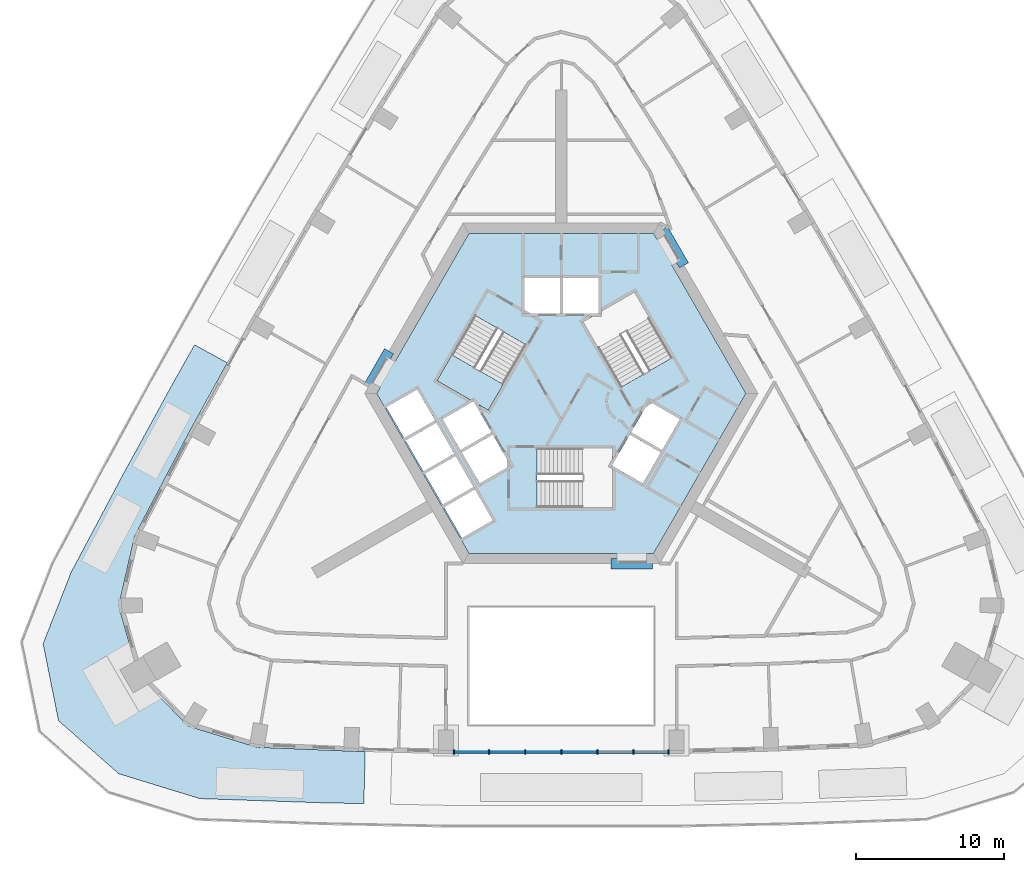
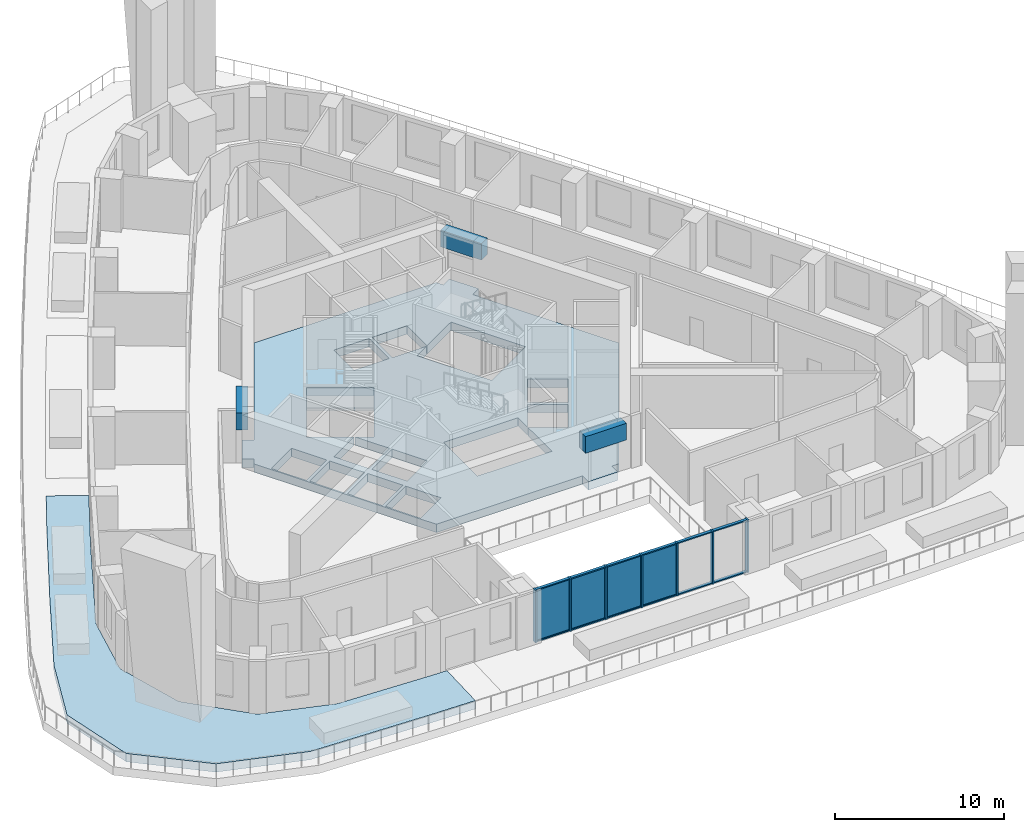
# One storey, part 2 of 13: 19 members, 4 plates, 3 beams, 3 slabs, 2 elements without a shape of their own.
"""IFC4 building model written with IfcOpenShell, lengths in metres."""

from ifc_helpers import new_model, si_unit, direction, frame, origin, origin_2d, place, context, subcontext, project, spatial, polyline, rectangle, outline, extrude, material, layer, layer_set, material_profile, profile_set, type_object, element, aggregate, save


model = new_model("IFC4")

# Units and contexts
model_context = context("Model", 3, precision=1e-05, world=origin(), true_north=direction((0.0, 1.0)))
body_context = subcontext(model_context, "Body", "Model", "MODEL_VIEW")
ifc_project = project(units=[si_unit("LENGTHUNIT", "METRE"), si_unit("AREAUNIT", "SQUARE_METRE"), si_unit("VOLUMEUNIT", "CUBIC_METRE"), si_unit("PLANEANGLEUNIT", "RADIAN"), si_unit("MASSUNIT", "GRAM", prefix="KILO")], contexts=[model_context])

# Site, building, storey
site_placement = place(None, origin())
site = spatial("IfcSite", under=ifc_project, at=site_placement, CompositionType="ELEMENT")
building_placement = place(site_placement, origin())
building = spatial("IfcBuilding", under=site, at=building_placement, Name="Entoto Arch Interchange Tower", CompositionType="ELEMENT")
storey_placement = place(building_placement, frame((0.0, 0.0, 189.800048828125)))
storey = spatial("IfcBuildingStorey", under=building, at=storey_placement, Name="L42", CompositionType="ELEMENT", Elevation=189.800048828125)

# Beams
ifc_material_1 = material(Name="Concrete C50/60", Category="concrete")
ifc_material_profile_1 = material_profile(ifc_material_1, rectangle(XDim=0.699951171875, YDim=1.199951171875, at=origin_2d()))
ifc_profile_set_1 = profile_set([ifc_material_profile_1], Name="Concrete C50/60")
beam_type = type_object("IfcBeamType", Name="Coupling beam RC 700x1200 C50/60", PredefinedType="BEAM", material=ifc_profile_set_1)
for number, where, z_axis, x_axis, name in (
    (1, (8.283935546875, 11.152099609375, 3.0), (-0.500135180047, 0.865947343479, 0.0), (-0.865947343479, -0.500135180047, 0.0), "Coupling beam NE L42"),
    (2, (-11.634033203125, 5.347900390625, 3.0), (-0.500135180047, -0.865947343479, 0.0), (0.865947343479, -0.500135180047, 0.0), "Coupling beam NW L42"),
):
    element("IfcBeam", number, at=place(storey_placement, frame(where, z_axis=z_axis, x_axis=x_axis)), inside=storey, type_object=beam_type, Name=name, PredefinedType="BEAM", context=body_context, shape_type="SweptSolid", body=[
        extrude(rectangle(XDim=0.699951171875, YDim=1.199951171875, at=origin_2d()), origin(), (0.0, 0.0, 1.0), 2.799072265625),
    ])
beam_placement = place(storey_placement, frame((3.35009765625, -9.0, 3.0), z_axis=(1.0, 0.0, 0.0), x_axis=(0.0, 1.0, 0.0)))
element("IfcBeam", 3, at=beam_placement, inside=storey, type_object=beam_type, Name="Coupling beam S L42", PredefinedType="BEAM", context=body_context, shape_type="SweptSolid", body=[
    extrude(rectangle(XDim=0.699951171875, YDim=1.199951171875, at=origin_2d()), origin(), (0.0, 0.0, 1.0), 2.7998046875),
])

# Curtain wall, members
ifc_material_2 = material(Name="Aluminium, anodised", Category="aluminium")
curtain_wall_type = type_object("IfcCurtainWallType", Name="CURTAIN WALL ATRIUM", PredefinedType="NOTDEFINED", material=ifc_material_2)
curtain_wall_placement = place(storey_placement, origin())
curtain_wall = element("IfcCurtainWall", 4, at=curtain_wall_placement, inside=storey, type_object=curtain_wall_type, Name="Atrium glazing S-03 L42", PredefinedType="NOTDEFINED")
ifc_material_profile_2 = material_profile(ifc_material_2, rectangle(XDim=0.300048828125, YDim=0.10009765625, at=origin_2d()))
ifc_profile_set_2 = profile_set([ifc_material_profile_2], Name="Aluminium, anodised")
member_type_1 = type_object("IfcMemberType", Name="MULLION ATRIUM 100x300", PredefinedType="MULLION", material=ifc_profile_set_2)
member_1_placement = place(storey_placement, frame((-7.2490234375, -21.701904296875, 0.0), z_axis=(0.0, 0.0, 1.0), x_axis=(0.0, 1.0, 0.0)))
member_1 = element("IfcMember", 5, at=member_1_placement, type_object=member_type_1, Name="CWA mullion 1", PredefinedType="MULLION", context=body_context, shape_type="SweptSolid", body=[
    extrude(rectangle(XDim=0.300048828125, YDim=0.10009765625, at=origin_2d()), origin(), (0.0, 0.0, 1.0), 3.800048828125),
])
member_2_placement = place(storey_placement, frame((-4.865966796875, -21.701904296875, 0.0), z_axis=(0.0, 0.0, 1.0), x_axis=(0.0, 1.0, 0.0)))
member_2 = element("IfcMember", 6, at=member_2_placement, type_object=member_type_1, Name="CWA mullion 2", PredefinedType="MULLION", context=body_context, shape_type="SweptSolid", body=[
    extrude(rectangle(XDim=0.300048828125, YDim=0.10009765625, at=origin_2d()), origin(), (0.0, 0.0, 1.0), 3.800048828125),
])
member_3_placement = place(storey_placement, frame((-2.43310546875, -21.701904296875, 0.0), z_axis=(0.0, 0.0, 1.0), x_axis=(0.0, 1.0, 0.0)))
member_3 = element("IfcMember", 7, at=member_3_placement, type_object=member_type_1, Name="CWA mullion 3", PredefinedType="MULLION", context=body_context, shape_type="SweptSolid", body=[
    extrude(rectangle(XDim=0.300048828125, YDim=0.10009765625, at=origin_2d()), origin(), (0.0, 0.0, 1.0), 3.800048828125),
])
member_4_placement = place(storey_placement, frame((0.0, -21.701904296875, 0.0), z_axis=(0.0, 0.0, 1.0), x_axis=(0.0, 1.0, 0.0)))
member_4 = element("IfcMember", 8, at=member_4_placement, type_object=member_type_1, Name="CWA mullion 4", PredefinedType="MULLION", context=body_context, shape_type="SweptSolid", body=[
    extrude(rectangle(XDim=0.300048828125, YDim=0.10009765625, at=origin_2d()), origin(), (0.0, 0.0, 1.0), 3.800048828125),
])
member_5_placement = place(storey_placement, frame((2.43310546875, -21.701904296875, 0.0), z_axis=(0.0, 0.0, 1.0), x_axis=(0.0, 1.0, 0.0)))
member_5 = element("IfcMember", 9, at=member_5_placement, type_object=member_type_1, Name="CWA mullion 5", PredefinedType="MULLION", context=body_context, shape_type="SweptSolid", body=[
    extrude(rectangle(XDim=0.300048828125, YDim=0.10009765625, at=origin_2d()), origin(), (0.0, 0.0, 1.0), 3.800048828125),
])
member_6_placement = place(storey_placement, frame((4.865966796875, -21.701904296875, 0.0), z_axis=(0.0, 0.0, 1.0), x_axis=(0.0, 1.0, 0.0)))
member_6 = element("IfcMember", 10, at=member_6_placement, type_object=member_type_1, Name="CWA mullion 6", PredefinedType="MULLION", context=body_context, shape_type="SweptSolid", body=[
    extrude(rectangle(XDim=0.300048828125, YDim=0.10009765625, at=origin_2d()), origin(), (0.0, 0.0, 1.0), 3.800048828125),
])
member_7_placement = place(storey_placement, frame((7.2490234375, -21.701904296875, 0.0), z_axis=(0.0, 0.0, 1.0), x_axis=(0.0, 1.0, 0.0)))
member_7 = element("IfcMember", 11, at=member_7_placement, type_object=member_type_1, Name="CWA mullion 7", PredefinedType="MULLION", context=body_context, shape_type="SweptSolid", body=[
    extrude(rectangle(XDim=0.300048828125, YDim=0.10009765625, at=origin_2d()), origin(), (0.0, 0.0, 1.0), 3.800048828125),
])
ifc_material_profile_3 = material_profile(ifc_material_2, rectangle(XDim=0.199951171875, YDim=0.080078125, at=origin_2d()))
ifc_profile_set_3 = profile_set([ifc_material_profile_3], Name="Aluminium, anodised")
member_type_2 = type_object("IfcMemberType", Name="TRANSOM ATRIUM 80x200", PredefinedType="USERDEFINED", material=ifc_profile_set_3)
member_8_placement = place(storey_placement, frame((-7.198974609375, -21.701904296875, 0.0400390625), z_axis=(1.0, 0.0, 0.0), x_axis=(0.0, 1.0, 0.0)))
member_8 = element("IfcMember", 12, at=member_8_placement, type_object=member_type_2, Name="CWA transom 1.1", ObjectType="TRANSOM", PredefinedType="USERDEFINED", context=body_context, shape_type="SweptSolid", body=[
    extrude(rectangle(XDim=0.199951171875, YDim=0.080078125, at=origin_2d()), origin(), (0.0, 0.0, 1.0), 2.282958984375),
])
member_9_placement = place(storey_placement, frame((-7.198974609375, -21.701904296875, 3.760009765625), z_axis=(1.0, 0.0, 0.0), x_axis=(0.0, 1.0, 0.0)))
member_9 = element("IfcMember", 13, at=member_9_placement, type_object=member_type_2, Name="CWA transom 1.2", ObjectType="TRANSOM", PredefinedType="USERDEFINED", context=body_context, shape_type="SweptSolid", body=[
    extrude(rectangle(XDim=0.199951171875, YDim=0.080078125, at=origin_2d()), origin(), (0.0, 0.0, 1.0), 2.282958984375),
])
member_10_placement = place(storey_placement, frame((-4.81591796875, -21.701904296875, 0.0400390625), z_axis=(1.0, 0.0, 0.0), x_axis=(0.0, 1.0, 0.0)))
member_10 = element("IfcMember", 14, at=member_10_placement, type_object=member_type_2, Name="CWA transom 2.1", ObjectType="TRANSOM", PredefinedType="USERDEFINED", context=body_context, shape_type="SweptSolid", body=[
    extrude(rectangle(XDim=0.199951171875, YDim=0.080078125, at=origin_2d()), origin(), (0.0, 0.0, 1.0), 2.3330078125),
])
member_11_placement = place(storey_placement, frame((-4.81591796875, -21.701904296875, 3.760009765625), z_axis=(1.0, 0.0, 0.0), x_axis=(0.0, 1.0, 0.0)))
member_11 = element("IfcMember", 15, at=member_11_placement, type_object=member_type_2, Name="CWA transom 2.2", ObjectType="TRANSOM", PredefinedType="USERDEFINED", context=body_context, shape_type="SweptSolid", body=[
    extrude(rectangle(XDim=0.199951171875, YDim=0.080078125, at=origin_2d()), origin(), (0.0, 0.0, 1.0), 2.3330078125),
])
member_12_placement = place(storey_placement, frame((-2.383056640625, -21.701904296875, 0.0400390625), z_axis=(1.0, 0.0, 0.0), x_axis=(0.0, 1.0, 0.0)))
member_12 = element("IfcMember", 16, at=member_12_placement, type_object=member_type_2, Name="CWA transom 3.1", ObjectType="TRANSOM", PredefinedType="USERDEFINED", context=body_context, shape_type="SweptSolid", body=[
    extrude(rectangle(XDim=0.199951171875, YDim=0.080078125, at=origin_2d()), origin(), (0.0, 0.0, 1.0), 2.3330078125),
])
member_13_placement = place(storey_placement, frame((-2.383056640625, -21.701904296875, 3.760009765625), z_axis=(1.0, 0.0, 0.0), x_axis=(0.0, 1.0, 0.0)))
member_13 = element("IfcMember", 17, at=member_13_placement, type_object=member_type_2, Name="CWA transom 3.2", ObjectType="TRANSOM", PredefinedType="USERDEFINED", context=body_context, shape_type="SweptSolid", body=[
    extrude(rectangle(XDim=0.199951171875, YDim=0.080078125, at=origin_2d()), origin(), (0.0, 0.0, 1.0), 2.3330078125),
])
member_14_placement = place(storey_placement, frame((0.050048828125, -21.701904296875, 0.0400390625), z_axis=(1.0, 0.0, 0.0), x_axis=(0.0, 1.0, 0.0)))
member_14 = element("IfcMember", 18, at=member_14_placement, type_object=member_type_2, Name="CWA transom 4.1", ObjectType="TRANSOM", PredefinedType="USERDEFINED", context=body_context, shape_type="SweptSolid", body=[
    extrude(rectangle(XDim=0.199951171875, YDim=0.080078125, at=origin_2d()), origin(), (0.0, 0.0, 1.0), 2.3330078125),
])
member_15_placement = place(storey_placement, frame((0.050048828125, -21.701904296875, 3.760009765625), z_axis=(1.0, 0.0, 0.0), x_axis=(0.0, 1.0, 0.0)))
member_15 = element("IfcMember", 19, at=member_15_placement, type_object=member_type_2, Name="CWA transom 4.2", ObjectType="TRANSOM", PredefinedType="USERDEFINED", context=body_context, shape_type="SweptSolid", body=[
    extrude(rectangle(XDim=0.199951171875, YDim=0.080078125, at=origin_2d()), origin(), (0.0, 0.0, 1.0), 2.3330078125),
])
member_16_placement = place(storey_placement, frame((2.48291015625, -21.701904296875, 0.0400390625), z_axis=(1.0, 0.0, 0.0), x_axis=(0.0, 1.0, 0.0)))
member_16 = element("IfcMember", 20, at=member_16_placement, type_object=member_type_2, Name="CWA transom 5.1", ObjectType="TRANSOM", PredefinedType="USERDEFINED", context=body_context, shape_type="SweptSolid", body=[
    extrude(rectangle(XDim=0.199951171875, YDim=0.080078125, at=origin_2d()), origin(), (0.0, 0.0, 1.0), 2.3330078125),
])
member_17_placement = place(storey_placement, frame((2.48291015625, -21.701904296875, 3.760009765625), z_axis=(1.0, 0.0, 0.0), x_axis=(0.0, 1.0, 0.0)))
member_17 = element("IfcMember", 21, at=member_17_placement, type_object=member_type_2, Name="CWA transom 5.2", ObjectType="TRANSOM", PredefinedType="USERDEFINED", context=body_context, shape_type="SweptSolid", body=[
    extrude(rectangle(XDim=0.199951171875, YDim=0.080078125, at=origin_2d()), origin(), (0.0, 0.0, 1.0), 2.3330078125),
])
member_18_placement = place(storey_placement, frame((4.916015625, -21.701904296875, 0.0400390625), z_axis=(1.0, 0.0, 0.0), x_axis=(0.0, 1.0, 0.0)))
member_18 = element("IfcMember", 22, at=member_18_placement, type_object=member_type_2, Name="CWA transom 6.1", ObjectType="TRANSOM", PredefinedType="USERDEFINED", context=body_context, shape_type="SweptSolid", body=[
    extrude(rectangle(XDim=0.199951171875, YDim=0.080078125, at=origin_2d()), origin(), (0.0, 0.0, 1.0), 2.282958984375),
])
member_19_placement = place(storey_placement, frame((4.916015625, -21.701904296875, 3.760009765625), z_axis=(1.0, 0.0, 0.0), x_axis=(0.0, 1.0, 0.0)))
member_19 = element("IfcMember", 23, at=member_19_placement, type_object=member_type_2, Name="CWA transom 6.2", ObjectType="TRANSOM", PredefinedType="USERDEFINED", context=body_context, shape_type="SweptSolid", body=[
    extrude(rectangle(XDim=0.199951171875, YDim=0.080078125, at=origin_2d()), origin(), (0.0, 0.0, 1.0), 2.282958984375),
])

# Slab
ifc_material_3 = material(Name="Concrete C40/50", Category="concrete")
ifc_layer_1 = layer(ifc_material_3, 0.60009765625)
ifc_layer_set_1 = layer_set([ifc_layer_1], Name="Concrete C40/50")
slab_type_1 = type_object("IfcSlabType", Name="Core floor slab 600 C40/50", PredefinedType="FLOOR", material=ifc_layer_set_1)
slab_1_placement = place(storey_placement, frame((0.0, 0.0, -0.60009765625)))
element("IfcSlab", 24, at=slab_1_placement, inside=storey, type_object=slab_type_1, Name="Core floor slab L42", PredefinedType="FLOOR", context=body_context, shape_type="SweptSolid", body=[
    extrude(outline(polyline([(5.75, -9.0), (3.75, -9.0), (3.75, -8.300048828125), (-6.235107421875, -8.300048828125), (-12.470947265625, 2.5), (-12.22802734375, 2.919921875), (-12.833984375, 3.27001953125), (-11.833984375, 5.001953125), (-11.22802734375, 4.652099609375), (-6.235107421875, 13.300048828125), (6.235107421875, 13.300048828125), (6.47802734375, 12.8798828125), (7.083984375, 13.22998046875), (8.083984375, 11.498046875), (7.47802734375, 11.14794921875), (12.470947265625, 2.5), (6.235107421875, -8.300048828125), (5.75, -8.300048828125), (5.75, -9.0)]), holes=[polyline([(-5.837890625, -3.988037109375), (-7.916015625, -5.18798828125), (-6.716064453125, -7.26708984375), (-4.637939453125, -6.06689453125), (-5.837890625, -3.988037109375)]), polyline([(-5.93798828125, -3.81494140625), (-7.137939453125, -1.737060546875), (-9.216064453125, -2.93701171875), (-8.01611328125, -5.014892578125), (-5.93798828125, -3.81494140625)]), polyline([(-3.427001953125, -2.364990234375), (-4.626953125, -0.287109375), (-6.705078125, -1.487060546875), (-5.5048828125, -3.56494140625), (-3.427001953125, -2.364990234375)]), polyline([(-8.43798828125, 0.514892578125), (-10.51611328125, -0.68505859375), (-9.31591796875, -2.762939453125), (-7.238037109375, -1.56298828125), (-8.43798828125, 0.514892578125)]), polyline([(-4.72705078125, -0.113037109375), (-5.904052734375, 1.925048828125), (-4.928955078125, 1.362060546875), (-2.37890625, 5.779052734375), (-5.843017578125, 7.779052734375), (-8.39306640625, 3.362060546875), (-5.949951171875, 1.951904296875), (-8.0048828125, 0.764892578125), (-6.804931640625, -1.31298828125), (-4.72705078125, -0.113037109375)]), polyline([(-8.5380859375, 0.68798828125), (-9.738037109375, 2.76708984375), (-11.81591796875, 1.56689453125), (-10.615966796875, -0.511962890625), (-8.5380859375, 0.68798828125)]), polyline([(3.449951171875, -5.199951171875), (3.449951171875, -2.3779296875), (5.5048828125, -3.56494140625), (6.705078125, -1.487060546875), (4.626953125, -0.287109375), (3.449951171875, -2.324951171875), (3.449951171875, -1.199951171875), (-1.64990234375, -1.199951171875), (-1.64990234375, -5.199951171875), (3.449951171875, -5.199951171875)]), polyline([(5.927001953125, 1.965087890625), (4.72705078125, -0.113037109375), (6.804931640625, -1.31298828125), (8.0048828125, 0.764892578125), (5.927001953125, 1.965087890625)]), polyline([(4.029052734375, 2.9208984375), (7.492919921875, 4.9208984375), (4.943115234375, 9.337890625), (2.5, 7.927001953125), (2.5, 10.300048828125), (0.10009765625, 10.300048828125), (0.10009765625, 7.89990234375), (2.452880859375, 7.89990234375), (1.47900390625, 7.337890625), (4.029052734375, 2.9208984375)]), polyline([(-2.5, 7.89990234375), (-0.10009765625, 7.89990234375), (-0.10009765625, 10.300048828125), (-2.5, 10.300048828125), (-2.5, 7.89990234375)])]), origin(), (0.0, 0.0, 1.0), 0.60009765625),
])

# Stair, slab
stair_type = type_object("IfcStairType", Name="EXIT STAIR RC 1800", PredefinedType="HALF_TURN_STAIR", material=ifc_material_3)
stair_placement = place(storey_placement, origin())
stair = element("IfcStair", 25, at=stair_placement, inside=storey, type_object=stair_type, Name="L42 Exit stair NW", PredefinedType="HALF_TURN_STAIR")
ifc_layer_2 = layer(ifc_material_3, 0.199951171875)
ifc_layer_set_2 = layer_set([ifc_layer_2], Name="Concrete C40/50")
slab_type_2 = type_object("IfcSlabType", Name="EXIT STAIR LANDING RC 200", PredefinedType="LANDING", material=ifc_layer_set_2)
slab_2_placement = place(storey_placement, frame((0.0, 0.0, 1.89990234375)))
slab_2 = element("IfcSlab", 26, at=slab_2_placement, type_object=slab_type_2, Name="ST-NW landing 1", PredefinedType="LANDING", context=body_context, shape_type="SweptSolid", body=[
    extrude(outline(polyline([(-7.38330078125, 5.111572265625), (-8.393310546875, 3.3623046875), (-4.92919921875, 1.3623046875), (-3.919189453125, 3.111572265625), (-7.38330078125, 5.111572265625)])), origin(), (0.0, 0.0, 1.0), 0.199951171875),
])
aggregate(stair, [slab_2])

# Plate
ifc_material_4 = material(Name="Clear glass, low-e double glazed", Category="glass")
ifc_layer_3 = layer(ifc_material_4, 0.031982421875)
ifc_layer_set_3 = layer_set([ifc_layer_3], Name="Clear glass, low-e double glazed")
plate_type = type_object("IfcPlateType", Name="GLAZING PANEL ATRIUM 32", PredefinedType="CURTAIN_PANEL", material=ifc_layer_set_3)
plate_1_placement = place(storey_placement, frame((-6.0576171875, -21.701904296875, 0.080078125), z_axis=(0.0, 0.0, 1.0), x_axis=(1.0, 0.0, 0.0)))
plate_1 = element("IfcPlate", 27, at=plate_1_placement, type_object=plate_type, Name="CWA panel 1.1", PredefinedType="CURTAIN_PANEL", context=body_context, shape_type="SweptSolid", body=[
    extrude(rectangle(XDim=2.282958984375, YDim=0.031982421875, at=origin_2d()), origin(), (0.0, 0.0, 1.0), 3.639892578125),
])

plate_2_placement = place(storey_placement, frame((-3.6494140625, -21.701904296875, 0.080078125), z_axis=(0.0, 0.0, 1.0), x_axis=(1.0, 0.0, 0.0)))
plate_2 = element("IfcPlate", 28, at=plate_2_placement, type_object=plate_type, Name="CWA panel 2.1", PredefinedType="CURTAIN_PANEL", context=body_context, shape_type="SweptSolid", body=[
    extrude(rectangle(XDim=2.3330078125, YDim=0.031982421875, at=origin_2d()), origin(), (0.0, 0.0, 1.0), 3.639892578125),
])

plate_3_placement = place(storey_placement, frame((-1.216552734375, -21.701904296875, 0.080078125), z_axis=(0.0, 0.0, 1.0), x_axis=(1.0, 0.0, 0.0)))
plate_3 = element("IfcPlate", 29, at=plate_3_placement, type_object=plate_type, Name="CWA panel 3.1", PredefinedType="CURTAIN_PANEL", context=body_context, shape_type="SweptSolid", body=[
    extrude(rectangle(XDim=2.3330078125, YDim=0.031982421875, at=origin_2d()), origin(), (0.0, 0.0, 1.0), 3.639892578125),
])

plate_4_placement = place(storey_placement, frame((1.216552734375, -21.701904296875, 0.080078125), z_axis=(0.0, 0.0, 1.0), x_axis=(1.0, 0.0, 0.0)))
plate_4 = element("IfcPlate", 30, at=plate_4_placement, type_object=plate_type, Name="CWA panel 4.1", PredefinedType="CURTAIN_PANEL", context=body_context, shape_type="SweptSolid", body=[
    extrude(rectangle(XDim=2.3330078125, YDim=0.031982421875, at=origin_2d()), origin(), (0.0, 0.0, 1.0), 3.639892578125),
])

aggregate(curtain_wall, [member_1, member_2, member_3, member_4, member_5, member_6, member_7, member_8, member_9, plate_1, member_10, member_11, plate_2, member_12, member_13, plate_3, member_14, member_15, plate_4, member_16, member_17, member_18, member_19])

# Slab
ifc_layer_4 = layer(ifc_material_3, 0.60009765625)
ifc_layer_set_4 = layer_set([ifc_layer_4], Name="Concrete C40/50")
slab_type_3 = type_object("IfcSlabType", Name="Post-tensioned planter bed slab 600 C40/50", PredefinedType="ROOF", material=ifc_layer_set_4)
slab_3_placement = place(storey_placement, frame((0.0, 0.0, -0.60009765625)))
element("IfcSlab", 31, at=slab_3_placement, inside=storey, type_object=slab_type_3, Name="Planter bed slab L42", PredefinedType="ROOF", context=body_context, shape_type="SweptSolid", body=[
    extrude(outline(polyline([(-13.239013671875, -21.68408203125), (-14.18505859375, -21.658935546875), (-20.569091796875, -21.39208984375), (-25.197021484375, -19.967041015625), (-28.5791015625, -16.5), (-29.889892578125, -11.837890625), (-28.81103515625, -7.116943359375), (-24.97998046875, 0.16796875), (-22.554931640625, 4.56689453125), (-24.76806640625, 5.787109375), (-26.342041015625, 2.985107421875), (-29.72509765625, -3.2099609375), (-33.10595703125, -9.580078125), (-34.9990234375, -14.412109375), (-33.9541015625, -19.60302734375), (-29.89208984375, -23.18310546875), (-24.4189453125, -24.864990234375), (-16.193115234375, -25.14794921875), (-13.33203125, -25.205078125), (-13.239013671875, -21.68408203125)])), origin(), (0.0, 0.0, 1.0), 0.60009765625),
])

save(model, "model.ifc")
